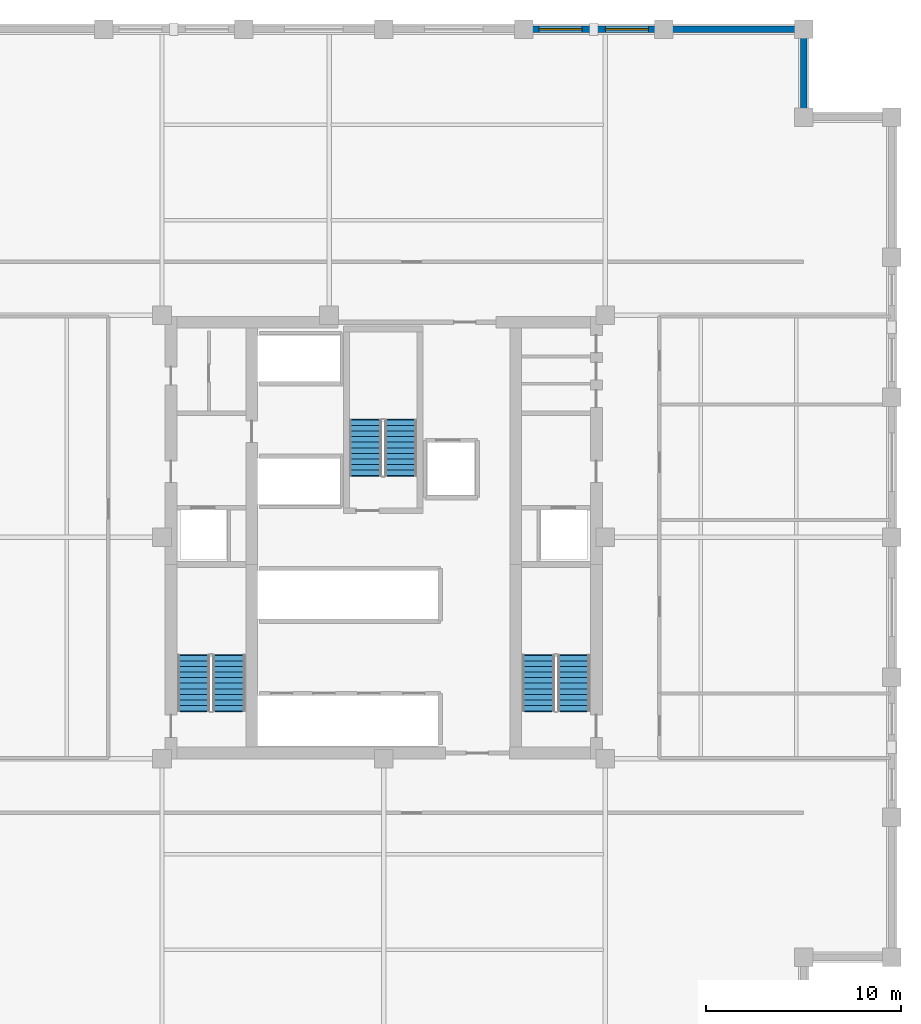
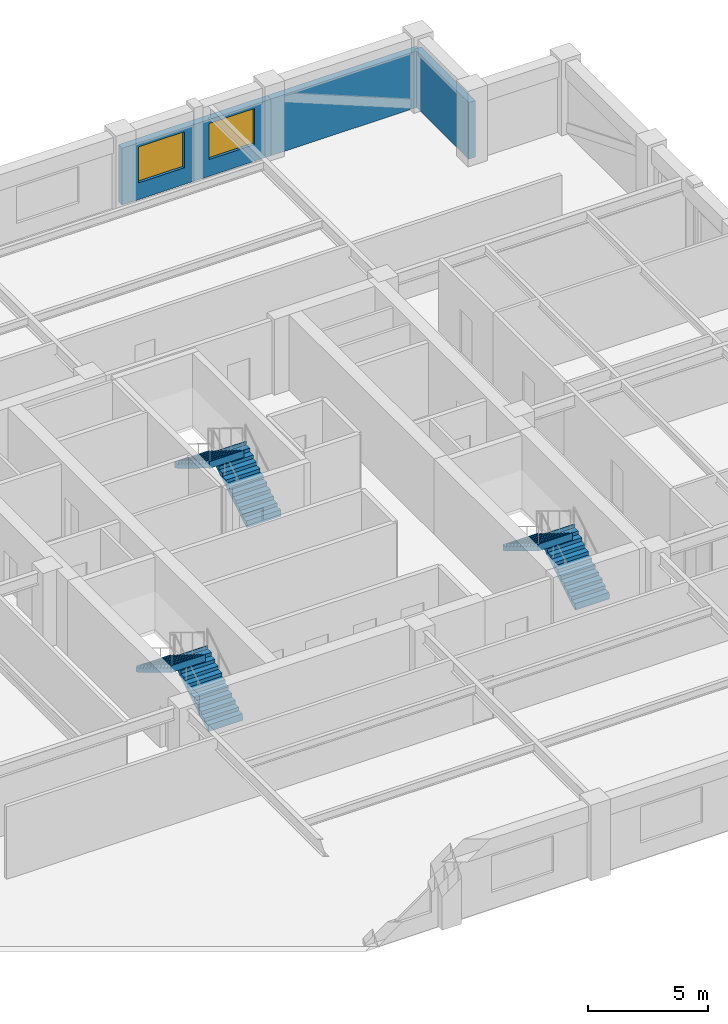
# One storey, part 5 of 6: 6 stair flights, 3 walls, 2 windows, 2 openings, 3 elements without a shape of their own.
"""IFC4 building model written with IfcOpenShell, lengths in metres."""

from ifc_helpers import new_model, si_unit, direction, frame, frame_2d, origin, place, context, subcontext, project, spatial, polyline, rectangle, outline, extrude, material, layer, layer_set, type_object, element, fill, aggregate, save


model = new_model("IFC4")

# Units and contexts
model_context = context("Model", 3, precision=1e-05, world=origin(), true_north=direction((0.0, 1.0)))
body_context = subcontext(model_context, "Body", "Model", "MODEL_VIEW")
ifc_project = project(units=[si_unit("LENGTHUNIT", "METRE"), si_unit("AREAUNIT", "SQUARE_METRE"), si_unit("VOLUMEUNIT", "CUBIC_METRE"), si_unit("PLANEANGLEUNIT", "RADIAN"), si_unit("MASSUNIT", "GRAM", prefix="KILO")], contexts=[model_context])

# Site, building, storey
site_placement = place(None, origin())
site = spatial("IfcSite", under=ifc_project, at=site_placement, CompositionType="ELEMENT")
building_placement = place(site_placement, origin())
building = spatial("IfcBuilding", under=site, at=building_placement, Name="Nhamokura Convention Tower", CompositionType="ELEMENT")
storey_placement = place(building_placement, frame((0.0, 0.0, 152.949951171875)))
storey = spatial("IfcBuildingStorey", under=building, at=storey_placement, Name="L37", CompositionType="ELEMENT", Elevation=152.949951171875)

# Wall, openings, windows
ifc_material_1 = material(Name="Bronze-pigmented precast concrete C45/55", Category="concrete")
ifc_layer = layer(ifc_material_1, 0.320068359375)
ifc_layer_set = layer_set([ifc_layer], Name="BronzePrecastSpandrel_320")
wall_type = type_object("IfcWallType", Name="BronzePrecastSpandrel_320", PredefinedType="USERDEFINED", material=ifc_layer_set)
wall_1_placement = place(storey_placement, frame((39.166748046875, 58.0, 0.0), z_axis=(0.0, 0.0, 1.0), x_axis=(1.0, 0.0, 0.0)))
wall_1 = element("IfcWall", 1, at=wall_1_placement, inside=storey, type_object=wall_type, Name="L37 Masonry-Frame Wall NORTH 4", ObjectType="SPANDREL_WALL", PredefinedType="USERDEFINED", context=body_context, shape_type="SweptSolid", body=[
    extrude(rectangle(XDim=7.16650390625, YDim=0.320068359375, at=frame_2d((3.583251953125, 0.0))), origin(), (0.0, 0.0, 1.0), 2.885009765625),
])
opening_1_placement = place(wall_1_placement, frame((0.791748046875, 0.0, 0.85009765625)))
opening_1 = element("IfcOpeningElement", 2, at=opening_1_placement, cuts=wall_1, Name="Opening W-06", PredefinedType="OPENING", context=body_context, shape_type="SweptSolid", body=[
    extrude(rectangle(XDim=2.199951171875, YDim=1.8349609375, at=frame_2d((1.10009765625, 0.91748046875))), frame((0.0, 0.169921875, 0.0), z_axis=(0.0, -1.0, 0.0), x_axis=(1.0, 0.0, 0.0)), (0.0, 0.0, 1.0), 0.340087890625),
])
opening_2_placement = place(wall_1_placement, frame((4.175048828125, 0.0, 0.85009765625)))
opening_2 = element("IfcOpeningElement", 3, at=opening_2_placement, cuts=wall_1, Name="Opening W-06", PredefinedType="OPENING", context=body_context, shape_type="SweptSolid", body=[
    extrude(rectangle(XDim=2.199951171875, YDim=1.8349609375, at=frame_2d((1.10009765625, 0.91748046875))), frame((0.0, 0.169921875, 0.0), z_axis=(0.0, -1.0, 0.0), x_axis=(1.0, 0.0, 0.0)), (0.0, 0.0, 1.0), 0.340087890625),
])
ifc_material_2 = material(Name="Solar-control bronze low-E double glass", Category="glass")
window_type = type_object("IfcWindowType", Name="OfficeModuleWindow_Z2_2200", PartitioningType="SINGLE_PANEL", PredefinedType="WINDOW", material=ifc_material_2)
window_1_placement = place(opening_1_placement, origin())
window_1 = element("IfcWindow", 4, at=window_1_placement, inside=storey, type_object=window_type, Name="L37 Facade Window NORTH 4-1", OverallHeight=1.8349609375, OverallWidth=2.199951171875, PartitioningType="SINGLE_PANEL", PredefinedType="WINDOW", context=body_context, shape_type="SweptSolid", body=[
    extrude(rectangle(XDim=2.199951171875, YDim=1.8349609375, at=frame_2d((1.10009765625, 0.91748046875))), frame((0.0, 0.030029296875, 0.0), z_axis=(0.0, -1.0, 0.0), x_axis=(1.0, 0.0, 0.0)), (0.0, 0.0, 1.0), 0.06005859375),
])
fill(opening_1, window_1)
window_2_placement = place(opening_2_placement, origin())
window_2 = element("IfcWindow", 5, at=window_2_placement, inside=storey, type_object=window_type, Name="L37 Facade Window NORTH 4-2", OverallHeight=1.8349609375, OverallWidth=2.199951171875, PartitioningType="SINGLE_PANEL", PredefinedType="WINDOW", context=body_context, shape_type="SweptSolid", body=[
    extrude(rectangle(XDim=2.199951171875, YDim=1.8349609375, at=frame_2d((1.10009765625, 0.91748046875))), frame((0.0, 0.030029296875, 0.0), z_axis=(0.0, -1.0, 0.0), x_axis=(1.0, 0.0, 0.0)), (0.0, 0.0, 1.0), 0.06005859375),
])
fill(opening_2, window_2)

# Walls
wall_2_placement = place(storey_placement, frame((46.333251953125, 58.0, 0.0), z_axis=(0.0, 0.0, 1.0), x_axis=(1.0, 0.0, 0.0)))
element("IfcWall", 6, at=wall_2_placement, inside=storey, type_object=wall_type, Name="L37 Braced-Bay Precast Wall NORTH 5", ObjectType="SPANDREL_WALL", PredefinedType="USERDEFINED", context=body_context, shape_type="SweptSolid", body=[
    extrude(rectangle(XDim=7.166748046875, YDim=0.320068359375, at=frame_2d((3.58349609375, 0.0))), origin(), (0.0, 0.0, 1.0), 2.885009765625),
])
wall_3_placement = place(storey_placement, frame((53.5, 58.0, 0.0), z_axis=(0.0, 0.0, 1.0), x_axis=(0.0, -1.0, 0.0)))
element("IfcWall", 7, at=wall_3_placement, inside=storey, type_object=wall_type, Name="L37 Notched Corner Wall NE2", ObjectType="SPANDREL_WALL", PredefinedType="USERDEFINED", context=body_context, shape_type="SweptSolid", body=[
    extrude(rectangle(XDim=4.5, YDim=0.320068359375, at=frame_2d((2.25, 0.0))), origin(), (0.0, 0.0, 1.0), 2.885009765625),
])

# Stair, stair flights
ifc_material_3 = material(Name="Concrete C40/50", Category="concrete")
stair_type = type_object("IfcStairType", Name="TowerCoreStair_1650", PredefinedType="HALF_TURN_STAIR", material=ifc_material_3)
stair_1_placement = place(storey_placement, origin())
stair_1 = element("IfcStair", 8, at=stair_1_placement, inside=storey, type_object=stair_type, Name="L37 West Core Smokeproof Stair ST-01", PredefinedType="HALF_TURN_STAIR")
ifc_material_4 = material(Name="Concrete C40/50", Category="concrete")
stair_flight_type = type_object("IfcStairFlightType", Name="TowerCoreStair_1650_Flight", PredefinedType="STRAIGHT", material=ifc_material_4)
stair_flight_1_placement = place(storey_placement, frame((24.074951171875, 23.10009765625, 0.0), z_axis=(0.0, 0.0, 1.0), x_axis=(0.0, 1.0, 0.0)))
stair_flight_1 = element("IfcStairFlight", 9, at=stair_flight_1_placement, type_object=stair_flight_type, Name="ST-01 flight 1", NumberOfRisers=11, NumberOfTreads=10, PredefinedType="STRAIGHT", RiserHeight=0.175, TreadLength=0.285, context=body_context, shape_type="SweptSolid", body=[
    extrude(outline(polyline([(-0.0419921875, 0.0), (0.0, 0.175048828125), (0.284912109375, 0.175048828125), (0.284912109375, 0.35009765625), (0.570068359375, 0.35009765625), (0.570068359375, 0.52490234375), (0.85498046875, 0.52490234375), (0.85498046875, 0.699951171875), (1.139892578125, 0.699951171875), (1.139892578125, 0.875), (1.425048828125, 0.875), (1.425048828125, 1.050048828125), (1.7099609375, 1.050048828125), (1.7099609375, 1.22509765625), (1.9951171875, 1.22509765625), (1.9951171875, 1.39990234375), (2.280029296875, 1.39990234375), (2.280029296875, 1.574951171875), (2.56494140625, 1.574951171875), (2.56494140625, 1.75), (2.85009765625, 1.75), (2.85009765625, 1.925048828125), (2.89208984375, 1.925048828125), (2.89208984375, 1.573974609375), (2.85009765625, 1.573974609375), (0.286376953125, 0.0), (0.02001953125, -0.1298828125), (-0.0419921875, -0.1298828125), (-0.0419921875, 0.0)])), frame((0.0, 0.824951171875, 0.0), z_axis=(0.0, -1.0, 0.0), x_axis=(1.0, 0.0, 0.0)), (0.0, 0.0, 1.0), 1.64990234375),
])
stair_flight_2_placement = place(storey_placement, frame((22.27490234375, 25.949951171875, 1.925048828125), z_axis=(0.0, 0.0, 1.0), x_axis=(0.0, -1.0, 0.0)))
stair_flight_2 = element("IfcStairFlight", 10, at=stair_flight_2_placement, type_object=stair_flight_type, Name="ST-01 flight 2", NumberOfRisers=11, NumberOfTreads=10, PredefinedType="STRAIGHT", RiserHeight=0.175, TreadLength=0.285, context=body_context, shape_type="SweptSolid", body=[
    extrude(outline(polyline([(-0.0419921875, 0.0), (0.0, 0.175048828125), (0.284912109375, 0.175048828125), (0.284912109375, 0.35009765625), (0.570068359375, 0.35009765625), (0.570068359375, 0.52490234375), (0.85498046875, 0.52490234375), (0.85498046875, 0.699951171875), (1.139892578125, 0.699951171875), (1.139892578125, 0.875), (1.425048828125, 0.875), (1.425048828125, 1.050048828125), (1.7099609375, 1.050048828125), (1.7099609375, 1.22509765625), (1.9951171875, 1.22509765625), (1.9951171875, 1.39990234375), (2.280029296875, 1.39990234375), (2.280029296875, 1.574951171875), (2.56494140625, 1.574951171875), (2.56494140625, 1.75), (2.85009765625, 1.75), (2.85009765625, 1.925048828125), (2.89208984375, 1.925048828125), (2.89208984375, 1.573974609375), (2.85009765625, 1.573974609375), (0.286376953125, 0.0), (0.02001953125, -0.1298828125), (-0.0419921875, -0.1298828125), (-0.0419921875, 0.0)])), frame((0.0, 0.824951171875, 0.0), z_axis=(0.0, -1.0, 0.0), x_axis=(1.0, 0.0, 0.0)), (0.0, 0.0, 1.0), 1.64990234375),
])
aggregate(stair_1, [stair_flight_1, stair_flight_2])

stair_2_placement = place(storey_placement, origin())
stair_2 = element("IfcStair", 11, at=stair_2_placement, inside=storey, type_object=stair_type, Name="L37 East Core Smokeproof Stair ST-02", PredefinedType="HALF_TURN_STAIR")
stair_flight_3_placement = place(storey_placement, frame((41.72509765625, 23.10009765625, 0.0), z_axis=(0.0, 0.0, 1.0), x_axis=(0.0, 1.0, 0.0)))
stair_flight_3 = element("IfcStairFlight", 12, at=stair_flight_3_placement, type_object=stair_flight_type, Name="ST-02 flight 1", NumberOfRisers=11, NumberOfTreads=10, PredefinedType="STRAIGHT", RiserHeight=0.175, TreadLength=0.285, context=body_context, shape_type="SweptSolid", body=[
    extrude(outline(polyline([(-0.0419921875, 0.0), (0.0, 0.175048828125), (0.284912109375, 0.175048828125), (0.284912109375, 0.35009765625), (0.570068359375, 0.35009765625), (0.570068359375, 0.52490234375), (0.85498046875, 0.52490234375), (0.85498046875, 0.699951171875), (1.139892578125, 0.699951171875), (1.139892578125, 0.875), (1.425048828125, 0.875), (1.425048828125, 1.050048828125), (1.7099609375, 1.050048828125), (1.7099609375, 1.22509765625), (1.9951171875, 1.22509765625), (1.9951171875, 1.39990234375), (2.280029296875, 1.39990234375), (2.280029296875, 1.574951171875), (2.56494140625, 1.574951171875), (2.56494140625, 1.75), (2.85009765625, 1.75), (2.85009765625, 1.925048828125), (2.89208984375, 1.925048828125), (2.89208984375, 1.573974609375), (2.85009765625, 1.573974609375), (0.286376953125, 0.0), (0.02001953125, -0.1298828125), (-0.0419921875, -0.1298828125), (-0.0419921875, 0.0)])), frame((0.0, 0.824951171875, 0.0), z_axis=(0.0, -1.0, 0.0), x_axis=(1.0, 0.0, 0.0)), (0.0, 0.0, 1.0), 1.64990234375),
])
stair_flight_4_placement = place(storey_placement, frame((39.925048828125, 25.949951171875, 1.925048828125), z_axis=(0.0, 0.0, 1.0), x_axis=(0.0, -1.0, 0.0)))
stair_flight_4 = element("IfcStairFlight", 13, at=stair_flight_4_placement, type_object=stair_flight_type, Name="ST-02 flight 2", NumberOfRisers=11, NumberOfTreads=10, PredefinedType="STRAIGHT", RiserHeight=0.175, TreadLength=0.285, context=body_context, shape_type="SweptSolid", body=[
    extrude(outline(polyline([(-0.0419921875, 0.0), (0.0, 0.175048828125), (0.284912109375, 0.175048828125), (0.284912109375, 0.35009765625), (0.570068359375, 0.35009765625), (0.570068359375, 0.52490234375), (0.85498046875, 0.52490234375), (0.85498046875, 0.699951171875), (1.139892578125, 0.699951171875), (1.139892578125, 0.875), (1.425048828125, 0.875), (1.425048828125, 1.050048828125), (1.7099609375, 1.050048828125), (1.7099609375, 1.22509765625), (1.9951171875, 1.22509765625), (1.9951171875, 1.39990234375), (2.280029296875, 1.39990234375), (2.280029296875, 1.574951171875), (2.56494140625, 1.574951171875), (2.56494140625, 1.75), (2.85009765625, 1.75), (2.85009765625, 1.925048828125), (2.89208984375, 1.925048828125), (2.89208984375, 1.573974609375), (2.85009765625, 1.573974609375), (0.286376953125, 0.0), (0.02001953125, -0.1298828125), (-0.0419921875, -0.1298828125), (-0.0419921875, 0.0)])), frame((0.0, 0.824951171875, 0.0), z_axis=(0.0, -1.0, 0.0), x_axis=(1.0, 0.0, 0.0)), (0.0, 0.0, 1.0), 1.64990234375),
])
aggregate(stair_2, [stair_flight_3, stair_flight_4])

stair_3_placement = place(storey_placement, origin())
stair_3 = element("IfcStair", 14, at=stair_3_placement, inside=storey, type_object=stair_type, Name="L37 North Core Smokeproof Stair ST-03", PredefinedType="HALF_TURN_STAIR")
stair_flight_5_placement = place(storey_placement, frame((32.875, 35.14990234375, 0.0), z_axis=(0.0, 0.0, 1.0), x_axis=(0.0, 1.0, 0.0)))
stair_flight_5 = element("IfcStairFlight", 15, at=stair_flight_5_placement, type_object=stair_flight_type, Name="ST-03 flight 1", NumberOfRisers=11, NumberOfTreads=10, PredefinedType="STRAIGHT", RiserHeight=0.175, TreadLength=0.285, context=body_context, shape_type="SweptSolid", body=[
    extrude(outline(polyline([(-0.0419921875, 0.0), (0.0, 0.175048828125), (0.284912109375, 0.175048828125), (0.284912109375, 0.35009765625), (0.570068359375, 0.35009765625), (0.570068359375, 0.52490234375), (0.85498046875, 0.52490234375), (0.85498046875, 0.699951171875), (1.139892578125, 0.699951171875), (1.139892578125, 0.875), (1.425048828125, 0.875), (1.425048828125, 1.050048828125), (1.7099609375, 1.050048828125), (1.7099609375, 1.22509765625), (1.9951171875, 1.22509765625), (1.9951171875, 1.39990234375), (2.280029296875, 1.39990234375), (2.280029296875, 1.574951171875), (2.56494140625, 1.574951171875), (2.56494140625, 1.75), (2.85009765625, 1.75), (2.85009765625, 1.925048828125), (2.89208984375, 1.925048828125), (2.89208984375, 1.573974609375), (2.85009765625, 1.573974609375), (0.286376953125, 0.0), (0.02001953125, -0.1298828125), (-0.0419921875, -0.1298828125), (-0.0419921875, 0.0)])), frame((0.0, 0.824951171875, 0.0), z_axis=(0.0, -1.0, 0.0), x_axis=(1.0, 0.0, 0.0)), (0.0, 0.0, 1.0), 1.64990234375),
])
stair_flight_6_placement = place(storey_placement, frame((31.074951171875, 38.0, 1.925048828125), z_axis=(0.0, 0.0, 1.0), x_axis=(0.0, -1.0, 0.0)))
stair_flight_6 = element("IfcStairFlight", 16, at=stair_flight_6_placement, type_object=stair_flight_type, Name="ST-03 flight 2", NumberOfRisers=11, NumberOfTreads=10, PredefinedType="STRAIGHT", RiserHeight=0.175, TreadLength=0.285, context=body_context, shape_type="SweptSolid", body=[
    extrude(outline(polyline([(-0.0419921875, 0.0), (0.0, 0.175048828125), (0.284912109375, 0.175048828125), (0.284912109375, 0.35009765625), (0.570068359375, 0.35009765625), (0.570068359375, 0.52490234375), (0.85498046875, 0.52490234375), (0.85498046875, 0.699951171875), (1.139892578125, 0.699951171875), (1.139892578125, 0.875), (1.425048828125, 0.875), (1.425048828125, 1.050048828125), (1.7099609375, 1.050048828125), (1.7099609375, 1.22509765625), (1.9951171875, 1.22509765625), (1.9951171875, 1.39990234375), (2.280029296875, 1.39990234375), (2.280029296875, 1.574951171875), (2.56494140625, 1.574951171875), (2.56494140625, 1.75), (2.85009765625, 1.75), (2.85009765625, 1.925048828125), (2.89208984375, 1.925048828125), (2.89208984375, 1.573974609375), (2.85009765625, 1.573974609375), (0.286376953125, 0.0), (0.02001953125, -0.1298828125), (-0.0419921875, -0.1298828125), (-0.0419921875, 0.0)])), frame((0.0, 0.824951171875, 0.0), z_axis=(0.0, -1.0, 0.0), x_axis=(1.0, 0.0, 0.0)), (0.0, 0.0, 1.0), 1.64990234375),
])
aggregate(stair_3, [stair_flight_5, stair_flight_6])

save(model, "model.ifc")
